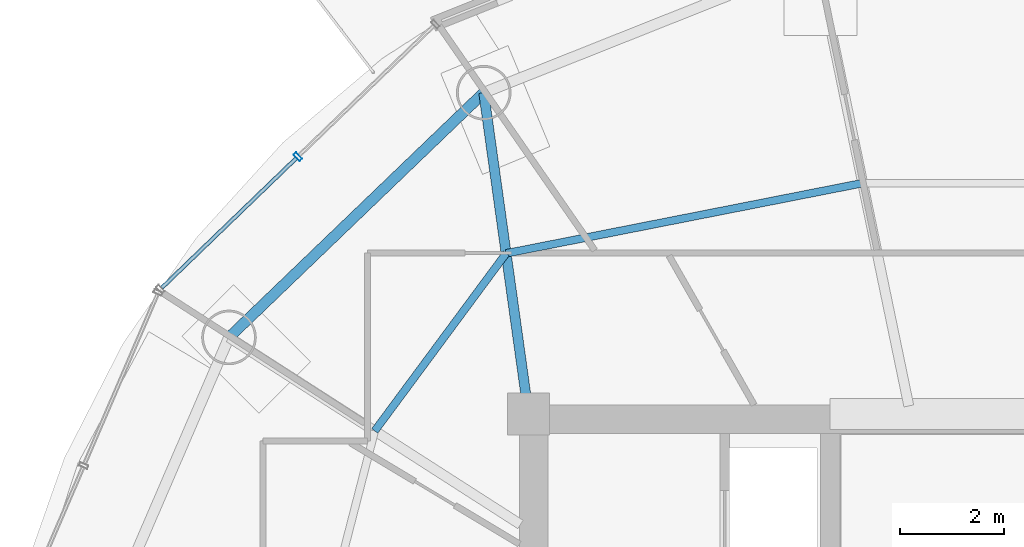
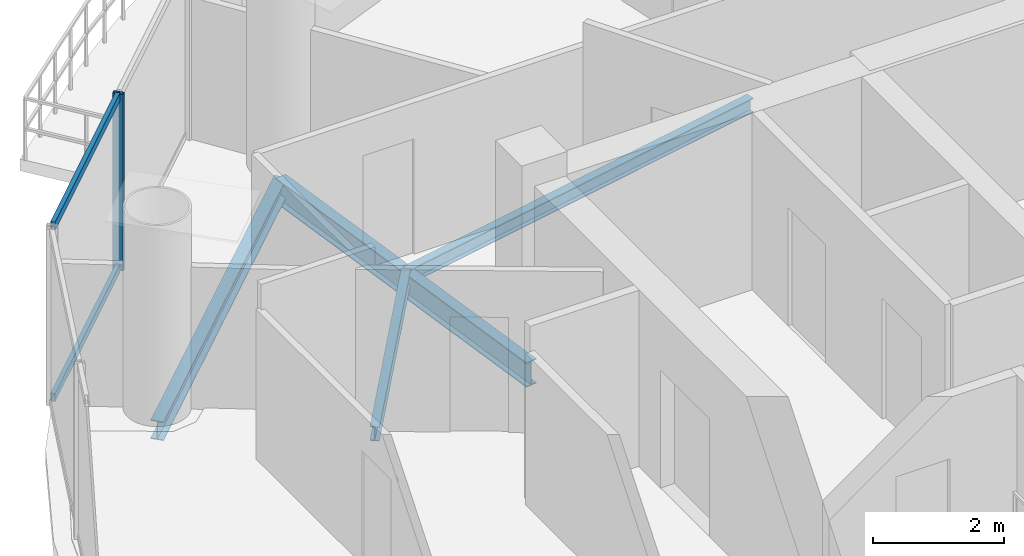
# One storey, part 9 of 23: 4 beams, 3 members, 1 element without a shape of its own.
"""IFC4 building model written with IfcOpenShell, lengths in metres."""

from ifc_helpers import new_model, si_unit, direction, frame, origin, origin_2d, place, context, subcontext, project, spatial, hollow_rectangle, i_section, extrude, source, transform, mapped, material, material_profile, profile_set, type_object, element, aggregate, save


model = new_model("IFC4")

# Units and contexts
model_context = context("Model", 3, precision=1e-05, world=origin(), true_north=direction((-0.2419218956, 0.970295726276)))
body_context = subcontext(model_context, "Body", "Model", "MODEL_VIEW")
ifc_project = project(units=[si_unit("LENGTHUNIT", "METRE"), si_unit("AREAUNIT", "SQUARE_METRE"), si_unit("VOLUMEUNIT", "CUBIC_METRE"), si_unit("PLANEANGLEUNIT", "RADIAN"), si_unit("MASSUNIT", "GRAM", prefix="KILO")], contexts=[model_context])

# Site, building, storey
site_placement = place(None, origin())
site = spatial("IfcSite", under=ifc_project, at=site_placement, CompositionType="ELEMENT")
building_placement = place(site_placement, origin())
building = spatial("IfcBuilding", under=site, at=building_placement, Name="Cobrevalo Terracotta Tower", CompositionType="ELEMENT")
storey_placement = place(building_placement, frame((0.0, 0.0, 296.949951171875)))
storey = spatial("IfcBuildingStorey", under=building, at=storey_placement, Name="L78", CompositionType="ELEMENT", Elevation=296.949951171875)

# Beams
ifc_material_1 = material(Name="Steel S355", Category="steel")
ifc_material_profile_1 = material_profile(ifc_material_1, i_section(OverallWidth=0.19091796875, OverallDepth=0.4599609375, WebThickness=0.010009765625, FlangeThickness=0.01611328125, at=origin_2d()), Name="W 460x82")
ifc_profile_set_1 = profile_set([ifc_material_profile_1], Name="Steel S355")
beam_type_1 = type_object("IfcBeamType", Name="Structural Beam W 460x82 (Steel S355)", PredefinedType="BEAM", material=ifc_profile_set_1)
beam_1_placement = place(storey_placement, frame((28.138671875, 40.9765625, -0.489990234375), z_axis=(0.138115657759, -0.990416107039, 0.0), x_axis=(0.990416107039, 0.138115657759, 0.0)))
element("IfcBeam", 1, at=beam_1_placement, inside=storey, type_object=beam_type_1, Name="L78 radial floor girder 06", PredefinedType="BEAM", context=body_context, shape_type="SweptSolid", body=[
    extrude(i_section(OverallWidth=0.19091796875, OverallDepth=0.4599609375, WebThickness=0.010009765625, FlangeThickness=0.01611328125, at=origin_2d()), origin(), (0.0, 0.0, 1.0), 6.236328125),
])
ifc_material_profile_2 = material_profile(ifc_material_1, i_section(OverallWidth=0.14794921875, OverallDepth=0.26611328125, WebThickness=0.007568359375, FlangeThickness=0.012939453125, at=origin_2d()), Name="W 250x44.8")
ifc_profile_set_2 = profile_set([ifc_material_profile_2], Name="Steel S355")
beam_type_2 = type_object("IfcBeamType", Name="Structural Joist W 250x44.8 (Steel S355)", PredefinedType="JOIST", material=ifc_profile_set_2)
beam_2_placement = place(storey_placement, frame((35.42431640625, 39.23876953125, -0.39306640625), z_axis=(-0.98113843359, -0.19330642548, 0.0), x_axis=(0.19330642548, -0.98113843359, 0.0)))
element("IfcBeam", 2, at=beam_2_placement, inside=storey, type_object=beam_type_2, Name="L78 circumferential secondary floor joist 05", PredefinedType="JOIST", context=body_context, shape_type="SweptSolid", body=[
    extrude(i_section(OverallWidth=0.14794921875, OverallDepth=0.26611328125, WebThickness=0.007568359375, FlangeThickness=0.012939453125, at=origin_2d()), origin(), (0.0, 0.0, 1.0), 6.98681640625),
])
beam_3_placement = place(storey_placement, frame((28.5693359375, 37.88818359375, -0.39306640625), z_axis=(-0.594799916617, -0.803873783123, 0.0), x_axis=(0.803873783123, -0.594799916617, 0.0)))
element("IfcBeam", 3, at=beam_3_placement, inside=storey, type_object=beam_type_2, Name="L78 circumferential secondary floor joist 06", PredefinedType="JOIST", context=body_context, shape_type="SweptSolid", body=[
    extrude(i_section(OverallWidth=0.14794921875, OverallDepth=0.26611328125, WebThickness=0.007568359375, FlangeThickness=0.012939453125, at=origin_2d()), origin(), (0.0, 0.0, 1.0), 4.2470703125),
])
ifc_material_profile_3 = material_profile(ifc_material_1, i_section(OverallWidth=0.205078125, OverallDepth=0.35400390625, WebThickness=0.009521484375, FlangeThickness=0.016845703125, at=origin_2d()), Name="W 360x79")
ifc_profile_set_3 = profile_set([ifc_material_profile_3], Name="Steel S355")
beam_type_3 = type_object("IfcBeamType", Name="Structural Spandrel W 360x79 (Steel S355)", PredefinedType="SPANDREL", material=ifc_profile_set_3)
beam_4_placement = place(storey_placement, frame((28.138671875, 40.9765625, -0.43701171875), z_axis=(-0.721183246144, -0.692744343522, 0.0), x_axis=(0.692744343522, -0.721183246144, 0.0)))
element("IfcBeam", 4, at=beam_4_placement, inside=storey, type_object=beam_type_3, Name="L78 perimeter ring spandrel 06", PredefinedType="SPANDREL", context=body_context, shape_type="SweptSolid", body=[
    extrude(i_section(OverallWidth=0.205078125, OverallDepth=0.35400390625, WebThickness=0.009521484375, FlangeThickness=0.016845703125, at=origin_2d()), origin(), (0.0, 0.0, 1.0), 6.79052734375),
])

# Curtain wall, members
ifc_material_2 = material(Name="Anodized aluminium", Category="aluminium")
curtain_wall_type = type_object("IfcCurtainWallType", Name="Upper-tower triple-glazed penthouse curtain wall CW-U3", PredefinedType="NOTDEFINED", material=ifc_material_2)
curtain_wall_placement = place(storey_placement, origin())
curtain_wall = element("IfcCurtainWall", 5, at=curtain_wall_placement, inside=storey, type_object=curtain_wall_type, Name="L78 curtain wall CW-L78-S06", PredefinedType="NOTDEFINED")
ifc_material_profile_4 = material_profile(ifc_material_2, hollow_rectangle(XDim=0.074951171875, YDim=0.14990234375, WallThickness=0.00439453125, at=origin_2d()), Name="CWT 75x150")
ifc_profile_set_4 = profile_set([ifc_material_profile_4], Name="Anodized aluminium")
member_type_1 = type_object("IfcMemberType", Name="Tower unitised aluminium transom 75x150", PredefinedType="USERDEFINED", material=ifc_profile_set_4)
shared_shape_1 = source(origin(), body_context, "Body", "SweptSolid", [
    extrude(hollow_rectangle(XDim=0.074951171875, YDim=0.14990234375, WallThickness=0.00439453125, at=origin_2d()), origin(), (0.0, 0.0, 1.0), 3.59130859375),
])
member_1_placement = place(storey_placement, frame((24.537841796875, 39.72021484375, 0.050048828125), z_axis=(-0.720005628362, -0.693968223427, 0.0), x_axis=(0.693968223427, -0.720005628362, 0.0)))
member_1 = element("IfcMember", 6, at=member_1_placement, type_object=member_type_1, Name="CW-L78-S06 transom B02-T1", ObjectType="TRANSOM", PredefinedType="USERDEFINED", context=body_context, shape_type="MappedRepresentation", body=[
    mapped(shared_shape_1, transform((0.0, 0.0, 0.0), scale=1.0)),
])
member_2_placement = place(storey_placement, frame((24.537841796875, 39.72021484375, 3.25), z_axis=(-0.720005628362, -0.693968223427, 0.0), x_axis=(0.693968223427, -0.720005628362, 0.0)))
member_2 = element("IfcMember", 7, at=member_2_placement, type_object=member_type_1, Name="CW-L78-S06 transom B02-T2", ObjectType="TRANSOM", PredefinedType="USERDEFINED", context=body_context, shape_type="MappedRepresentation", body=[
    mapped(shared_shape_1, transform((0.0, 0.0, 0.0), scale=1.0)),
])
ifc_material_profile_5 = material_profile(ifc_material_2, hollow_rectangle(XDim=0.070068359375, YDim=0.169921875, WallThickness=0.00439453125, at=origin_2d()), Name="CWM 70x170")
ifc_profile_set_5 = profile_set([ifc_material_profile_5], Name="Anodized aluminium")
member_type_2 = type_object("IfcMemberType", Name="Upper tower unitised mullion 70x170", PredefinedType="MULLION", material=ifc_profile_set_5)
shared_shape_2 = source(origin(), body_context, "Body", "SweptSolid", [
    extrude(hollow_rectangle(XDim=0.070068359375, YDim=0.169921875, WallThickness=0.00439453125, at=origin_2d()), origin(), (0.0, 0.0, 1.0), 3.300048828125),
])
member_3_placement = place(storey_placement, frame((24.56640625, 39.748046875, 0.0), z_axis=(0.0, 0.0, 1.0), x_axis=(-0.71999418085, -0.69398010025, 0.0)))
member_3 = element("IfcMember", 8, at=member_3_placement, type_object=member_type_2, Name="CW-L78-S06 vertical mullion 02", PredefinedType="MULLION", context=body_context, shape_type="MappedRepresentation", body=[
    mapped(shared_shape_2, transform((0.0, 0.0, 0.0), scale=1.0)),
])
aggregate(curtain_wall, [member_3, member_1, member_2])

save(model, "model.ifc")
